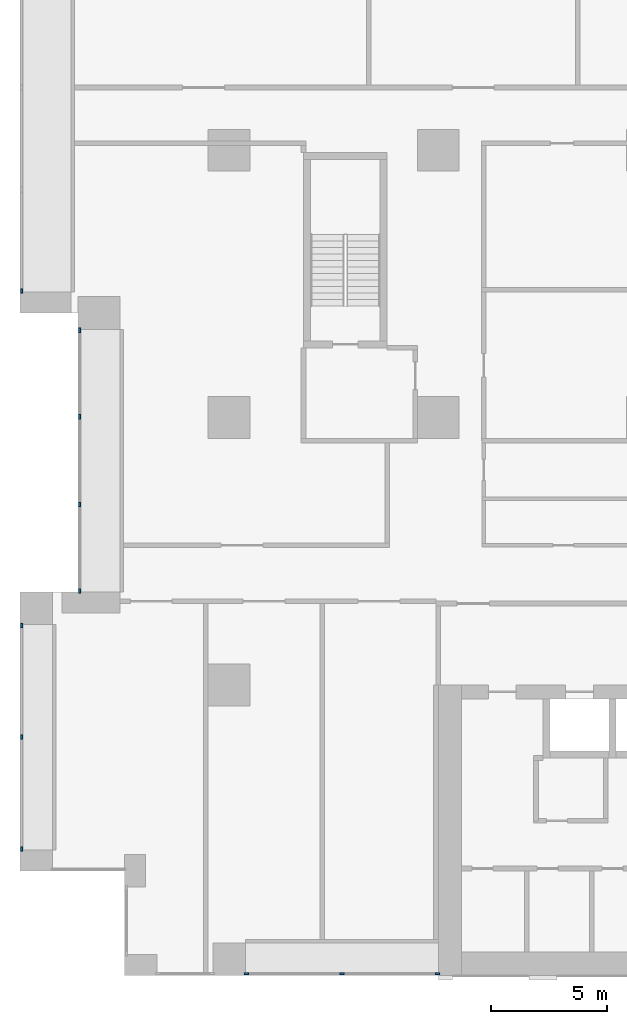
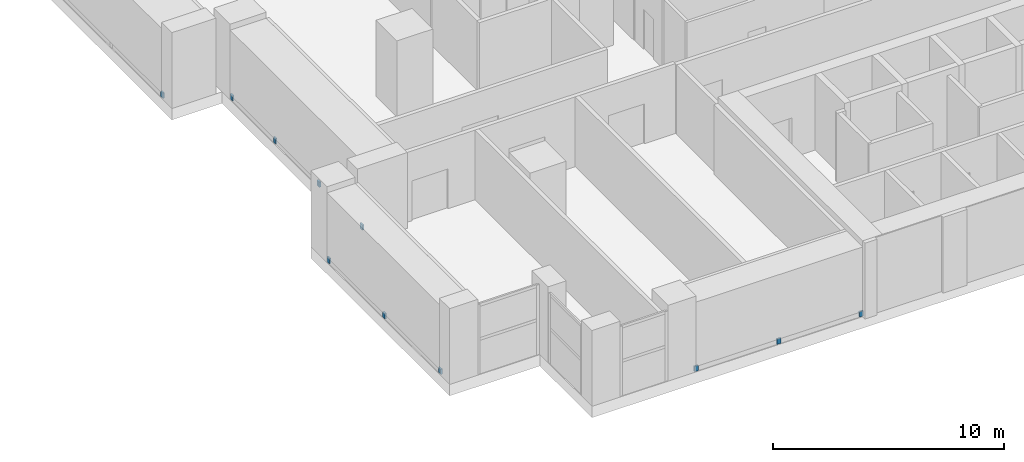
# One storey, part 12 of 24: 11 members, 4 elements without a shape of their own.
"""IFC4 building model written with IfcOpenShell, lengths in metres."""

from ifc_helpers import new_model, si_unit, direction, frame, origin, origin_2d, place, context, subcontext, project, spatial, rectangle, extrude, material, layer, layer_set, material_profile, profile_set, type_object, element, aggregate, save


model = new_model("IFC4")

# Units and contexts
model_context = context("Model", 3, precision=1e-05, world=origin(), true_north=direction((0.0, 1.0)))
body_context = subcontext(model_context, "Body", "Model", "MODEL_VIEW")
ifc_project = project(units=[si_unit("LENGTHUNIT", "METRE"), si_unit("AREAUNIT", "SQUARE_METRE"), si_unit("VOLUMEUNIT", "CUBIC_METRE"), si_unit("PLANEANGLEUNIT", "RADIAN"), si_unit("MASSUNIT", "GRAM", prefix="KILO")], contexts=[model_context])

# Site, building, storey
site_placement = place(None, origin())
site = spatial("IfcSite", under=ifc_project, at=site_placement, CompositionType="ELEMENT")
building_placement = place(site_placement, origin())
building = spatial("IfcBuilding", under=site, at=building_placement, Name="Brigalow Station Residences", CompositionType="ELEMENT")
storey_placement = place(building_placement, frame((0.0, 0.0, 15.5)))
storey = spatial("IfcBuildingStorey", under=building, at=storey_placement, Name="L03", CompositionType="ELEMENT", Elevation=15.5)

# Curtain wall, members
ifc_material_1 = material(Name="Aluminium", Category="aluminium")
ifc_layer = layer(ifc_material_1, 0.199951171875)
ifc_layer_set = layer_set([ifc_layer], Name="REFUGE FLOOR LOUVRE CURTAIN WALL")
curtain_wall_type = type_object("IfcCurtainWallType", Name="REFUGE FLOOR LOUVRE CURTAIN WALL", PredefinedType="NOTDEFINED", material=ifc_layer_set)
curtain_wall_1_placement = place(storey_placement, origin())
curtain_wall_1 = element("IfcCurtainWall", 1, at=curtain_wall_1_placement, inside=storey, type_object=curtain_wall_type, Name="L03/cw/louvre-slot-W-L03-1-1", PredefinedType="NOTDEFINED")
ifc_material_2 = material(Name="Aluminium", Category="aluminium")
ifc_material_profile = material_profile(ifc_material_2, rectangle(XDim=0.080078125, YDim=0.199951171875, at=origin_2d()), Name="REFUGE FLOOR LOUVRE MULLION 80x200")
ifc_profile_set = profile_set([ifc_material_profile], Name="Aluminium")
member_type = type_object("IfcMemberType", Name="REFUGE FLOOR LOUVRE MULLION 80x200", PredefinedType="MULLION", material=ifc_profile_set)
member_1_placement = place(storey_placement, frame((9.739990234375, 0.074951171875, 0.0), z_axis=(0.0, 0.0, 1.0), x_axis=(0.0, 1.0, 0.0)))
member_1 = element("IfcMember", 2, at=member_1_placement, type_object=member_type, Name="L03/cw/louvre-slot-W-L03-1-1/M00", PredefinedType="MULLION", context=body_context, shape_type="SweptSolid", body=[
    extrude(rectangle(XDim=0.080078125, YDim=0.199951171875, at=origin_2d()), origin(), (0.0, 0.0, 1.0), 0.280029296875),
])
member_2_placement = place(storey_placement, frame((13.85009765625, 0.074951171875, 0.0), z_axis=(0.0, 0.0, 1.0), x_axis=(0.0, 1.0, 0.0)))
member_2 = element("IfcMember", 3, at=member_2_placement, type_object=member_type, Name="L03/cw/louvre-slot-W-L03-1-1/M01", PredefinedType="MULLION", context=body_context, shape_type="SweptSolid", body=[
    extrude(rectangle(XDim=0.080078125, YDim=0.199951171875, at=origin_2d()), origin(), (0.0, 0.0, 1.0), 0.280029296875),
])
member_3_placement = place(storey_placement, frame((17.9599609375, 0.074951171875, 0.0), z_axis=(0.0, 0.0, 1.0), x_axis=(0.0, 1.0, 0.0)))
member_3 = element("IfcMember", 4, at=member_3_placement, type_object=member_type, Name="L03/cw/louvre-slot-W-L03-1-1/M02", PredefinedType="MULLION", context=body_context, shape_type="SweptSolid", body=[
    extrude(rectangle(XDim=0.080078125, YDim=0.199951171875, at=origin_2d()), origin(), (0.0, 0.0, 1.0), 0.280029296875),
])
aggregate(curtain_wall_1, [member_1, member_2, member_3])

# Curtain wall, member
curtain_wall_2_placement = place(storey_placement, origin())
curtain_wall_2 = element("IfcCurtainWall", 5, at=curtain_wall_2_placement, inside=storey, type_object=curtain_wall_type, Name="L03/cw/louvre-slot-W-L03-42-14", PredefinedType="NOTDEFINED")
member_4_placement = place(storey_placement, frame((0.074951171875, 29.43994140625, 0.0), z_axis=(0.0, 0.0, 1.0), x_axis=(1.0, 0.0, 0.0)))
member_4 = element("IfcMember", 6, at=member_4_placement, type_object=member_type, Name="L03/cw/louvre-slot-W-L03-42-14/M03", PredefinedType="MULLION", context=body_context, shape_type="SweptSolid", body=[
    extrude(rectangle(XDim=0.080078125, YDim=0.199951171875, at=origin_2d()), origin(), (0.0, 0.0, 1.0), 0.280029296875),
])
aggregate(curtain_wall_2, [member_4])

# Curtain wall, members
curtain_wall_3_placement = place(storey_placement, origin())
curtain_wall_3 = element("IfcCurtainWall", 7, at=curtain_wall_3_placement, inside=storey, type_object=curtain_wall_type, Name="L03/cw/louvre-slot-W-L03-47-15", PredefinedType="NOTDEFINED")
member_5_placement = place(storey_placement, frame((2.574951171875, 27.760009765625, 0.0), z_axis=(0.0, 0.0, 1.0), x_axis=(1.0, 0.0, 0.0)))
member_5 = element("IfcMember", 8, at=member_5_placement, type_object=member_type, Name="L03/cw/louvre-slot-W-L03-47-15/M00", PredefinedType="MULLION", context=body_context, shape_type="SweptSolid", body=[
    extrude(rectangle(XDim=0.080078125, YDim=0.199951171875, at=origin_2d()), origin(), (0.0, 0.0, 1.0), 0.280029296875),
])
member_6_placement = place(storey_placement, frame((2.574951171875, 24.033203125, 0.0), z_axis=(0.0, 0.0, 1.0), x_axis=(1.0, 0.0, 0.0)))
member_6 = element("IfcMember", 9, at=member_6_placement, type_object=member_type, Name="L03/cw/louvre-slot-W-L03-47-15/M01", PredefinedType="MULLION", context=body_context, shape_type="SweptSolid", body=[
    extrude(rectangle(XDim=0.080078125, YDim=0.199951171875, at=origin_2d()), origin(), (0.0, 0.0, 1.0), 0.280029296875),
])
member_7_placement = place(storey_placement, frame((2.574951171875, 20.2666015625, 0.0), z_axis=(0.0, 0.0, 1.0), x_axis=(1.0, 0.0, 0.0)))
member_7 = element("IfcMember", 10, at=member_7_placement, type_object=member_type, Name="L03/cw/louvre-slot-W-L03-47-15/M02", PredefinedType="MULLION", context=body_context, shape_type="SweptSolid", body=[
    extrude(rectangle(XDim=0.080078125, YDim=0.199951171875, at=origin_2d()), origin(), (0.0, 0.0, 1.0), 0.280029296875),
])
member_8_placement = place(storey_placement, frame((2.574951171875, 16.5400390625, 0.0), z_axis=(0.0, 0.0, 1.0), x_axis=(1.0, 0.0, 0.0)))
member_8 = element("IfcMember", 11, at=member_8_placement, type_object=member_type, Name="L03/cw/louvre-slot-W-L03-47-15/M03", PredefinedType="MULLION", context=body_context, shape_type="SweptSolid", body=[
    extrude(rectangle(XDim=0.080078125, YDim=0.199951171875, at=origin_2d()), origin(), (0.0, 0.0, 1.0), 0.280029296875),
])
aggregate(curtain_wall_3, [member_5, member_6, member_7, member_8])

curtain_wall_4_placement = place(storey_placement, origin())
curtain_wall_4 = element("IfcCurtainWall", 12, at=curtain_wall_4_placement, inside=storey, type_object=curtain_wall_type, Name="L03/cw/louvre-slot-W-L03-51-16", PredefinedType="NOTDEFINED")
member_9_placement = place(storey_placement, frame((0.074951171875, 15.06005859375, 0.0), z_axis=(0.0, 0.0, 1.0), x_axis=(1.0, 0.0, 0.0)))
member_9 = element("IfcMember", 13, at=member_9_placement, type_object=member_type, Name="L03/cw/louvre-slot-W-L03-51-16/M00", PredefinedType="MULLION", context=body_context, shape_type="SweptSolid", body=[
    extrude(rectangle(XDim=0.080078125, YDim=0.199951171875, at=origin_2d()), origin(), (0.0, 0.0, 1.0), 0.280029296875),
])
member_10_placement = place(storey_placement, frame((0.074951171875, 10.25, 0.0), z_axis=(0.0, 0.0, 1.0), x_axis=(1.0, 0.0, 0.0)))
member_10 = element("IfcMember", 14, at=member_10_placement, type_object=member_type, Name="L03/cw/louvre-slot-W-L03-51-16/M01", PredefinedType="MULLION", context=body_context, shape_type="SweptSolid", body=[
    extrude(rectangle(XDim=0.080078125, YDim=0.199951171875, at=origin_2d()), origin(), (0.0, 0.0, 1.0), 0.280029296875),
])
member_11_placement = place(storey_placement, frame((0.074951171875, 5.43994140625, 0.0), z_axis=(0.0, 0.0, 1.0), x_axis=(1.0, 0.0, 0.0)))
member_11 = element("IfcMember", 15, at=member_11_placement, type_object=member_type, Name="L03/cw/louvre-slot-W-L03-51-16/M02", PredefinedType="MULLION", context=body_context, shape_type="SweptSolid", body=[
    extrude(rectangle(XDim=0.080078125, YDim=0.199951171875, at=origin_2d()), origin(), (0.0, 0.0, 1.0), 0.280029296875),
])
aggregate(curtain_wall_4, [member_9, member_10, member_11])

save(model, "model.ifc")
